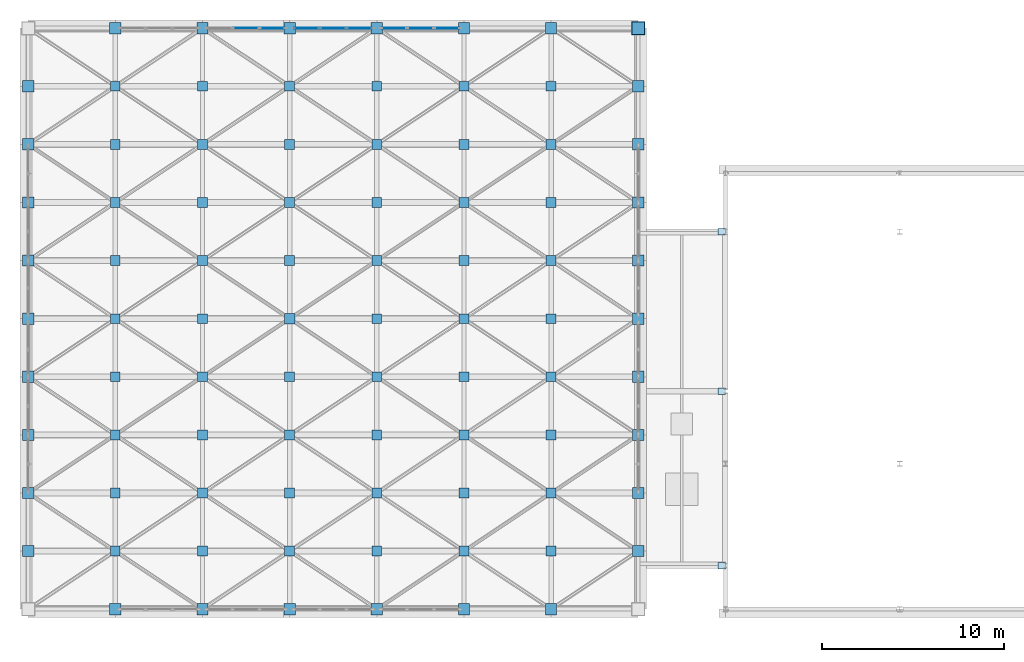
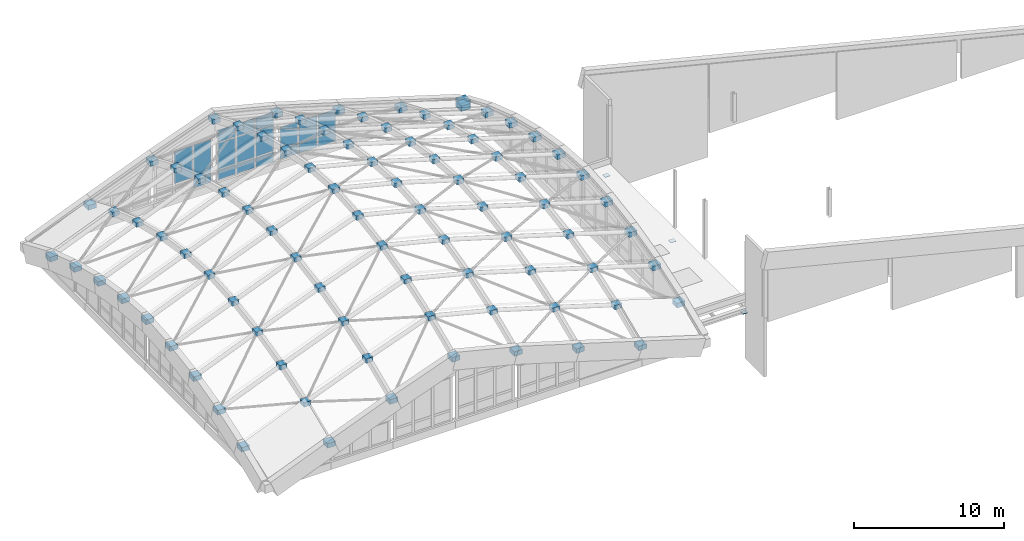
# One storey, part 12 of 14: 107 plates, 3 elements without a shape of their own.
"""IFC4 building model written with IfcOpenShell, lengths in metres."""

from ifc_helpers import new_model, si_unit, direction, frame, origin, origin_2d, place, context, subcontext, project, spatial, rectangle, extrude, material, layer, layer_set, type_object, element, aggregate, save


model = new_model("IFC4")

# Units and contexts
model_context = context("Model", 3, precision=1e-05, world=origin(), true_north=direction((0.0, 1.0)))
body_context = subcontext(model_context, "Body", "Model", "MODEL_VIEW")
ifc_project = project(units=[si_unit("LENGTHUNIT", "METRE"), si_unit("AREAUNIT", "SQUARE_METRE"), si_unit("VOLUMEUNIT", "CUBIC_METRE"), si_unit("PLANEANGLEUNIT", "RADIAN"), si_unit("MASSUNIT", "GRAM", prefix="KILO")], contexts=[model_context])

# Site, building, storey
site_placement = place(None, origin())
site = spatial("IfcSite", under=ifc_project, at=site_placement, CompositionType="ELEMENT")
building_placement = place(site_placement, origin())
building = spatial("IfcBuilding", under=site, at=building_placement, Name="Dunescarp Central Library", CompositionType="ELEMENT")
storey_placement = place(building_placement, frame((0.0, 0.0, 31.800048828125)))
storey = spatial("IfcBuildingStorey", under=building, at=storey_placement, Name="ROOF", CompositionType="ELEMENT", Elevation=31.800048828125)

# Curtain wall, plates
ifc_material_1 = material(Name="Marine-grade anodised aluminium 6063-T6", Category="aluminium")
curtain_wall_type = type_object("IfcCurtainWallType", Name="ARC-CW-CROWN", PredefinedType="NOTDEFINED", material=ifc_material_1)
curtain_wall_1_placement = place(storey_placement, origin())
curtain_wall_1 = element("IfcCurtainWall", 1, at=curtain_wall_1_placement, inside=storey, type_object=curtain_wall_type, Name="ROOF curtain wall CW-CROWN-N3", PredefinedType="NOTDEFINED")
ifc_material_2 = material(Name="Solar-control laminated double glazing", Category="glass")
ifc_layer_1 = layer(ifc_material_2, 0.031982421875)
ifc_layer_set_1 = layer_set([ifc_layer_1], Name="Solar-control laminated double glazing")
plate_type_1 = type_object("IfcPlateType", Name="ARC-PLT-GLZ32", PredefinedType="CURTAIN_PANEL", material=ifc_layer_set_1)
plate_1_placement = place(storey_placement, frame((12.0, 36.800048828125, 0.93994140625), z_axis=(0.0, 0.0, 1.0), x_axis=(1.0, 0.0, 0.0)))
plate_1 = element("IfcPlate", 2, at=plate_1_placement, type_object=plate_type_1, Name="CW-CROWN-N3 panel 2.2", PredefinedType="CURTAIN_PANEL", context=body_context, shape_type="SweptSolid", body=[
    extrude(rectangle(XDim=1.393310546875, YDim=0.031982421875, at=origin_2d()), origin(), (0.0, 0.0, 1.0), 2.6298828125),
])
plate_2_placement = place(storey_placement, frame((13.4609375, 36.800048828125, 0.93994140625), z_axis=(0.0, 0.0, 1.0), x_axis=(1.0, 0.0, 0.0)))
plate_2 = element("IfcPlate", 3, at=plate_2_placement, type_object=plate_type_1, Name="CW-CROWN-N3 panel 3.2", PredefinedType="CURTAIN_PANEL", context=body_context, shape_type="SweptSolid", body=[
    extrude(rectangle(XDim=1.348388671875, YDim=0.031982421875, at=origin_2d()), origin(), (0.0, 0.0, 1.0), 2.6298828125),
])

curtain_wall_2_placement = place(storey_placement, origin())
curtain_wall_2 = element("IfcCurtainWall", 4, at=curtain_wall_2_placement, inside=storey, type_object=curtain_wall_type, Name="ROOF curtain wall CW-CROWN-N4", PredefinedType="NOTDEFINED")
plate_3_placement = place(storey_placement, frame((15.339111328125, 36.800048828125, 0.93994140625), z_axis=(0.0, 0.0, 1.0), x_axis=(1.0, 0.0, 0.0)))
plate_3 = element("IfcPlate", 5, at=plate_3_placement, type_object=plate_type_1, Name="CW-CROWN-N4 panel 1.2", PredefinedType="CURTAIN_PANEL", context=body_context, shape_type="SweptSolid", body=[
    extrude(rectangle(XDim=1.348388671875, YDim=0.031982421875, at=origin_2d()), origin(), (0.0, 0.0, 1.0), 2.1201171875),
])
plate_4_placement = place(storey_placement, frame((15.339111328125, 36.800048828125, 3.139892578125), z_axis=(0.0, 0.0, 1.0), x_axis=(1.0, 0.0, 0.0)))
plate_4 = element("IfcPlate", 6, at=plate_4_placement, type_object=plate_type_1, Name="CW-CROWN-N4 panel 1.3", PredefinedType="CURTAIN_PANEL", context=body_context, shape_type="SweptSolid", body=[
    extrude(rectangle(XDim=1.348388671875, YDim=0.031982421875, at=origin_2d()), origin(), (0.0, 0.0, 1.0), 0.97998046875),
])
plate_5_placement = place(storey_placement, frame((16.800048828125, 36.800048828125, 0.93994140625), z_axis=(0.0, 0.0, 1.0), x_axis=(1.0, 0.0, 0.0)))
plate_5 = element("IfcPlate", 7, at=plate_5_placement, type_object=plate_type_1, Name="CW-CROWN-N4 panel 2.2", PredefinedType="CURTAIN_PANEL", context=body_context, shape_type="SweptSolid", body=[
    extrude(rectangle(XDim=1.393310546875, YDim=0.031982421875, at=origin_2d()), origin(), (0.0, 0.0, 1.0), 2.1201171875),
])
plate_6_placement = place(storey_placement, frame((16.800048828125, 36.800048828125, 3.139892578125), z_axis=(0.0, 0.0, 1.0), x_axis=(1.0, 0.0, 0.0)))
plate_6 = element("IfcPlate", 8, at=plate_6_placement, type_object=plate_type_1, Name="CW-CROWN-N4 panel 2.3", PredefinedType="CURTAIN_PANEL", context=body_context, shape_type="SweptSolid", body=[
    extrude(rectangle(XDim=1.393310546875, YDim=0.031982421875, at=origin_2d()), origin(), (0.0, 0.0, 1.0), 0.97998046875),
])
plate_7_placement = place(storey_placement, frame((18.2607421875, 36.800048828125, 0.93994140625), z_axis=(0.0, 0.0, 1.0), x_axis=(1.0, 0.0, 0.0)))
plate_7 = element("IfcPlate", 9, at=plate_7_placement, type_object=plate_type_1, Name="CW-CROWN-N4 panel 3.2", PredefinedType="CURTAIN_PANEL", context=body_context, shape_type="SweptSolid", body=[
    extrude(rectangle(XDim=1.348388671875, YDim=0.031982421875, at=origin_2d()), origin(), (0.0, 0.0, 1.0), 2.1201171875),
])
plate_8_placement = place(storey_placement, frame((18.2607421875, 36.800048828125, 3.139892578125), z_axis=(0.0, 0.0, 1.0), x_axis=(1.0, 0.0, 0.0)))
plate_8 = element("IfcPlate", 10, at=plate_8_placement, type_object=plate_type_1, Name="CW-CROWN-N4 panel 3.3", PredefinedType="CURTAIN_PANEL", context=body_context, shape_type="SweptSolid", body=[
    extrude(rectangle(XDim=1.348388671875, YDim=0.031982421875, at=origin_2d()), origin(), (0.0, 0.0, 1.0), 0.97998046875),
])

curtain_wall_3_placement = place(storey_placement, origin())
curtain_wall_3 = element("IfcCurtainWall", 11, at=curtain_wall_3_placement, inside=storey, type_object=curtain_wall_type, Name="ROOF curtain wall CW-CROWN-N5", PredefinedType="NOTDEFINED")
plate_9_placement = place(storey_placement, frame((20.13916015625, 36.800048828125, 0.93994140625), z_axis=(0.0, 0.0, 1.0), x_axis=(1.0, 0.0, 0.0)))
plate_9 = element("IfcPlate", 12, at=plate_9_placement, type_object=plate_type_1, Name="CW-CROWN-N5 panel 1.2", PredefinedType="CURTAIN_PANEL", context=body_context, shape_type="SweptSolid", body=[
    extrude(rectangle(XDim=1.348388671875, YDim=0.031982421875, at=origin_2d()), origin(), (0.0, 0.0, 1.0), 1.72998046875),
])
plate_10_placement = place(storey_placement, frame((21.60009765625, 36.800048828125, 0.93994140625), z_axis=(0.0, 0.0, 1.0), x_axis=(1.0, 0.0, 0.0)))
plate_10 = element("IfcPlate", 13, at=plate_10_placement, type_object=plate_type_1, Name="CW-CROWN-N5 panel 2.2", PredefinedType="CURTAIN_PANEL", context=body_context, shape_type="SweptSolid", body=[
    extrude(rectangle(XDim=1.393310546875, YDim=0.031982421875, at=origin_2d()), origin(), (0.0, 0.0, 1.0), 1.72998046875),
])
plate_11_placement = place(storey_placement, frame((23.060791015625, 36.800048828125, 0.93994140625), z_axis=(0.0, 0.0, 1.0), x_axis=(1.0, 0.0, 0.0)))
plate_11 = element("IfcPlate", 14, at=plate_11_placement, type_object=plate_type_1, Name="CW-CROWN-N5 panel 3.2", PredefinedType="CURTAIN_PANEL", context=body_context, shape_type="SweptSolid", body=[
    extrude(rectangle(XDim=1.348388671875, YDim=0.031982421875, at=origin_2d()), origin(), (0.0, 0.0, 1.0), 1.72998046875),
])

# Plate
ifc_layer_2 = layer(ifc_material_1, 0.050048828125)
ifc_layer_set_2 = layer_set([ifc_layer_2], Name="Marine-grade anodised aluminium 6063-T6")
plate_type_2 = type_object("IfcPlateType", Name="ARC-PLT-SPN50", PredefinedType="SHEET", material=ifc_layer_set_2)
plate_12_placement = place(storey_placement, frame((13.4609375, 36.800048828125, 0.080078125), z_axis=(0.0, 0.0, 1.0), x_axis=(1.0, 0.0, 0.0)))
plate_12 = element("IfcPlate", 15, at=plate_12_placement, type_object=plate_type_2, Name="CW-CROWN-N3 panel 3.1", PredefinedType="SHEET", context=body_context, shape_type="SweptSolid", body=[
    extrude(rectangle(XDim=1.348388671875, YDim=0.050048828125, at=origin_2d()), origin(), (0.0, 0.0, 1.0), 0.780029296875),
])

aggregate(curtain_wall_1, [plate_1, plate_12, plate_2])

plate_13_placement = place(storey_placement, frame((15.339111328125, 36.800048828125, 0.080078125), z_axis=(0.0, 0.0, 1.0), x_axis=(1.0, 0.0, 0.0)))
plate_13 = element("IfcPlate", 16, at=plate_13_placement, type_object=plate_type_2, Name="CW-CROWN-N4 panel 1.1", PredefinedType="SHEET", context=body_context, shape_type="SweptSolid", body=[
    extrude(rectangle(XDim=1.348388671875, YDim=0.050048828125, at=origin_2d()), origin(), (0.0, 0.0, 1.0), 0.780029296875),
])

plate_14_placement = place(storey_placement, frame((16.800048828125, 36.800048828125, 0.080078125), z_axis=(0.0, 0.0, 1.0), x_axis=(1.0, 0.0, 0.0)))
plate_14 = element("IfcPlate", 17, at=plate_14_placement, type_object=plate_type_2, Name="CW-CROWN-N4 panel 2.1", PredefinedType="SHEET", context=body_context, shape_type="SweptSolid", body=[
    extrude(rectangle(XDim=1.393310546875, YDim=0.050048828125, at=origin_2d()), origin(), (0.0, 0.0, 1.0), 0.780029296875),
])

plate_15_placement = place(storey_placement, frame((18.2607421875, 36.800048828125, 0.080078125), z_axis=(0.0, 0.0, 1.0), x_axis=(1.0, 0.0, 0.0)))
plate_15 = element("IfcPlate", 18, at=plate_15_placement, type_object=plate_type_2, Name="CW-CROWN-N4 panel 3.1", PredefinedType="SHEET", context=body_context, shape_type="SweptSolid", body=[
    extrude(rectangle(XDim=1.348388671875, YDim=0.050048828125, at=origin_2d()), origin(), (0.0, 0.0, 1.0), 0.780029296875),
])

aggregate(curtain_wall_2, [plate_13, plate_3, plate_4, plate_14, plate_5, plate_6, plate_15, plate_7, plate_8])

plate_16_placement = place(storey_placement, frame((20.13916015625, 36.800048828125, 0.080078125), z_axis=(0.0, 0.0, 1.0), x_axis=(1.0, 0.0, 0.0)))
plate_16 = element("IfcPlate", 19, at=plate_16_placement, type_object=plate_type_2, Name="CW-CROWN-N5 panel 1.1", PredefinedType="SHEET", context=body_context, shape_type="SweptSolid", body=[
    extrude(rectangle(XDim=1.348388671875, YDim=0.050048828125, at=origin_2d()), origin(), (0.0, 0.0, 1.0), 0.780029296875),
])

plate_17_placement = place(storey_placement, frame((21.60009765625, 36.800048828125, 0.080078125), z_axis=(0.0, 0.0, 1.0), x_axis=(1.0, 0.0, 0.0)))
plate_17 = element("IfcPlate", 20, at=plate_17_placement, type_object=plate_type_2, Name="CW-CROWN-N5 panel 2.1", PredefinedType="SHEET", context=body_context, shape_type="SweptSolid", body=[
    extrude(rectangle(XDim=1.393310546875, YDim=0.050048828125, at=origin_2d()), origin(), (0.0, 0.0, 1.0), 0.780029296875),
])

plate_18_placement = place(storey_placement, frame((23.060791015625, 36.800048828125, 0.080078125), z_axis=(0.0, 0.0, 1.0), x_axis=(1.0, 0.0, 0.0)))
plate_18 = element("IfcPlate", 21, at=plate_18_placement, type_object=plate_type_2, Name="CW-CROWN-N5 panel 3.1", PredefinedType="SHEET", context=body_context, shape_type="SweptSolid", body=[
    extrude(rectangle(XDim=1.348388671875, YDim=0.050048828125, at=origin_2d()), origin(), (0.0, 0.0, 1.0), 0.780029296875),
])

aggregate(curtain_wall_3, [plate_16, plate_9, plate_17, plate_10, plate_18, plate_11])

# Plates
ifc_material_3 = material(Name="Steel S355J0", Category="steel")
ifc_layer_3 = layer(ifc_material_3, 0.419921875)
ifc_layer_set_3 = layer_set([ifc_layer_3], Name="Steel S355J0")
plate_type_3 = type_object("IfcPlateType", Name="STR-NODE-GN01", PredefinedType="USERDEFINED", material=ifc_layer_set_3)
plate_19_placement = place(storey_placement, frame((33.60009765625, 36.800048828125, -0.64990234375), z_axis=(0.0, 0.0, 1.0), x_axis=(1.0, 0.0, 0.0)))
element("IfcPlate", 22, at=plate_19_placement, inside=storey, type_object=plate_type_3, Name="GN-01 gridshell node GN-710", ObjectType="BASE_PLATE", PredefinedType="USERDEFINED", context=body_context, shape_type="SweptSolid", body=[
    extrude(rectangle(XDim=0.679931640625, YDim=0.679931640625, at=origin_2d()), origin(), (0.0, 0.0, 1.0), 0.419921875),
])
ifc_layer_4 = layer(ifc_material_3, 0.3798828125)
ifc_layer_set_4 = layer_set([ifc_layer_4], Name="Steel S355J0")
plate_type_4 = type_object("IfcPlateType", Name="STR-NODE-GN02", PredefinedType="USERDEFINED", material=ifc_layer_set_4)
for number, where, z_axis, x_axis, name in (
    (23, (0.0, 8.0, 0.72998046875), (0.0, 0.0, 1.0), (1.0, 0.0, 0.0), "GN-02 gridshell node GN-001"),
    (24, (0.0, 11.199951171875, 1.81005859375), (0.0, 0.0, 1.0), (1.0, 0.0, 0.0), "GN-02 gridshell node GN-002"),
    (25, (0.0, 14.39990234375, 2.610107421875), (0.0, 0.0, 1.0), (1.0, 0.0, 0.0), "GN-02 gridshell node GN-003"),
    (26, (0.0, 17.60009765625, 3.130126953125), (0.0, 0.0, 1.0), (1.0, 0.0, 0.0), "GN-02 gridshell node GN-004"),
    (27, (0.0, 20.800048828125, 3.3701171875), (0.0, 0.0, 1.0), (1.0, 0.0, 0.0), "GN-02 gridshell node GN-005"),
    (28, (0.0, 24.0, 3.130126953125), (0.0, 0.0, 1.0), (1.0, 0.0, 0.0), "GN-02 gridshell node GN-006"),
    (29, (0.0, 27.199951171875, 2.610107421875), (0.0, 0.0, 1.0), (1.0, 0.0, 0.0), "GN-02 gridshell node GN-007"),
    (30, (0.0, 30.39990234375, 1.81005859375), (0.0, 0.0, 1.0), (1.0, 0.0, 0.0), "GN-02 gridshell node GN-008"),
    (31, (0.0, 33.60009765625, 0.72998046875), (0.0, 0.0, 1.0), (1.0, 0.0, 0.0), "GN-02 gridshell node GN-009"),
    (32, (4.800048828125, 4.800048828125, 1.320068359375), (0.0, 0.0, 1.0), (1.0, 0.0, 0.0), "GN-02 gridshell node GN-100"),
    (33, (4.800048828125, 36.800048828125, 1.320068359375), (0.0, 0.0, 1.0), (1.0, 0.0, 0.0), "GN-02 gridshell node GN-110"),
    (34, (9.60009765625, 4.800048828125, 3.219970703125), (0.0, 0.0, 1.0), (1.0, 0.0, 0.0), "GN-02 gridshell node GN-200"),
    (35, (9.60009765625, 36.800048828125, 3.219970703125), (0.0, 0.0, 1.0), (1.0, 0.0, 0.0), "GN-02 gridshell node GN-210"),
    (36, (14.39990234375, 4.800048828125, 4.969970703125), (0.0, 0.0, 1.0), (1.0, 0.0, 0.0), "GN-02 gridshell node GN-300"),
    (37, (14.39990234375, 36.800048828125, 4.969970703125), (0.0, 0.0, 1.0), (1.0, 0.0, 0.0), "GN-02 gridshell node GN-310"),
    (38, (19.199951171875, 4.800048828125, 3.77001953125), (0.0, 0.0, 1.0), (1.0, 0.0, 0.0), "GN-02 gridshell node GN-400"),
    (39, (19.199951171875, 36.800048828125, 3.77001953125), (0.0, 0.0, 1.0), (1.0, 0.0, 0.0), "GN-02 gridshell node GN-410"),
    (40, (24.0, 4.800048828125, 2.320068359375), (0.0, 0.0, 1.0), (1.0, 0.0, 0.0), "GN-02 gridshell node GN-500"),
    (41, (24.0, 36.800048828125, 2.320068359375), (0.0, 0.0, 1.0), (1.0, 0.0, 0.0), "GN-02 gridshell node GN-510"),
    (42, (28.800048828125, 4.800048828125, 0.85009765625), (0.0, 0.0, 1.0), (1.0, 0.0, 0.0), "GN-02 gridshell node GN-600"),
    (43, (28.800048828125, 36.800048828125, 0.85009765625), (0.0, 0.0, 1.0), (1.0, 0.0, 0.0), "GN-02 gridshell node GN-610"),
    (44, (33.60009765625, 8.0, 0.72998046875), (0.0, 0.0, 1.0), (1.0, 0.0, 0.0), "GN-02 gridshell node GN-701"),
    (45, (33.60009765625, 11.199951171875, 1.81005859375), (0.0, 0.0, 1.0), (1.0, 0.0, 0.0), "GN-02 gridshell node GN-702"),
    (46, (33.60009765625, 14.39990234375, 2.610107421875), (0.0, 0.0, 1.0), (1.0, 0.0, 0.0), "GN-02 gridshell node GN-703"),
    (47, (33.60009765625, 17.60009765625, 3.130126953125), (0.0, 0.0, 1.0), (1.0, 0.0, 0.0), "GN-02 gridshell node GN-704"),
    (48, (33.60009765625, 20.800048828125, 3.3701171875), (0.0, 0.0, 1.0), (1.0, 0.0, 0.0), "GN-02 gridshell node GN-705"),
    (49, (33.60009765625, 24.0, 3.130126953125), (0.0, 0.0, 1.0), (1.0, 0.0, 0.0), "GN-02 gridshell node GN-706"),
    (50, (33.60009765625, 27.199951171875, 2.610107421875), (0.0, 0.0, 1.0), (1.0, 0.0, 0.0), "GN-02 gridshell node GN-707"),
    (51, (33.60009765625, 30.39990234375, 1.81005859375), (0.0, 0.0, 1.0), (1.0, 0.0, 0.0), "GN-02 gridshell node GN-708"),
    (52, (33.60009765625, 33.60009765625, 0.72998046875), (0.0, 0.0, 1.0), (1.0, 0.0, 0.0), "GN-02 gridshell node GN-709"),
):
    element("IfcPlate", number, at=place(storey_placement, frame(where, z_axis=z_axis, x_axis=x_axis)), inside=storey, type_object=plate_type_4, Name=name, ObjectType="BASE_PLATE", PredefinedType="USERDEFINED", context=body_context, shape_type="SweptSolid", body=[
        extrude(rectangle(XDim=0.6201171875, YDim=0.6201171875, at=origin_2d()), origin(), (0.0, 0.0, 1.0), 0.3798828125),
    ])
ifc_layer_5 = layer(ifc_material_3, 0.360107421875)
ifc_layer_set_5 = layer_set([ifc_layer_5], Name="Steel S355J0")
plate_type_5 = type_object("IfcPlateType", Name="STR-NODE-GN03", PredefinedType="USERDEFINED", material=ifc_layer_set_5)
for number, where, z_axis, x_axis, name in (
    (53, (4.800048828125, 8.0, 2.68994140625), (0.0, 0.0, 1.0), (1.0, 0.0, 0.0), "GN-03 gridshell node GN-101"),
    (54, (4.800048828125, 11.199951171875, 3.77001953125), (0.0, 0.0, 1.0), (1.0, 0.0, 0.0), "GN-03 gridshell node GN-102"),
    (55, (4.800048828125, 14.39990234375, 4.56982421875), (0.0, 0.0, 1.0), (1.0, 0.0, 0.0), "GN-03 gridshell node GN-103"),
    (56, (4.800048828125, 17.60009765625, 5.08984375), (0.0, 0.0, 1.0), (1.0, 0.0, 0.0), "GN-03 gridshell node GN-104"),
    (57, (4.800048828125, 20.800048828125, 5.330078125), (0.0, 0.0, 1.0), (1.0, 0.0, 0.0), "GN-03 gridshell node GN-105"),
    (58, (4.800048828125, 24.0, 5.08984375), (0.0, 0.0, 1.0), (1.0, 0.0, 0.0), "GN-03 gridshell node GN-106"),
    (59, (4.800048828125, 27.199951171875, 4.56982421875), (0.0, 0.0, 1.0), (1.0, 0.0, 0.0), "GN-03 gridshell node GN-107"),
    (60, (4.800048828125, 30.39990234375, 3.77001953125), (0.0, 0.0, 1.0), (1.0, 0.0, 0.0), "GN-03 gridshell node GN-108"),
    (61, (4.800048828125, 33.60009765625, 2.68994140625), (0.0, 0.0, 1.0), (1.0, 0.0, 0.0), "GN-03 gridshell node GN-109"),
    (62, (9.60009765625, 8.0, 4.58984375), (0.0, 0.0, 1.0), (1.0, 0.0, 0.0), "GN-03 gridshell node GN-201"),
    (63, (9.60009765625, 11.199951171875, 5.669921875), (0.0, 0.0, 1.0), (1.0, 0.0, 0.0), "GN-03 gridshell node GN-202"),
    (64, (9.60009765625, 14.39990234375, 6.4697265625), (0.0, 0.0, 1.0), (1.0, 0.0, 0.0), "GN-03 gridshell node GN-203"),
    (65, (9.60009765625, 17.60009765625, 6.98974609375), (0.0, 0.0, 1.0), (1.0, 0.0, 0.0), "GN-03 gridshell node GN-204"),
    (66, (9.60009765625, 20.800048828125, 7.22998046875), (0.0, 0.0, 1.0), (1.0, 0.0, 0.0), "GN-03 gridshell node GN-205"),
    (67, (9.60009765625, 24.0, 6.98974609375), (0.0, 0.0, 1.0), (1.0, 0.0, 0.0), "GN-03 gridshell node GN-206"),
    (68, (9.60009765625, 27.199951171875, 6.4697265625), (0.0, 0.0, 1.0), (1.0, 0.0, 0.0), "GN-03 gridshell node GN-207"),
    (69, (9.60009765625, 30.39990234375, 5.669921875), (0.0, 0.0, 1.0), (1.0, 0.0, 0.0), "GN-03 gridshell node GN-208"),
    (70, (9.60009765625, 33.60009765625, 4.58984375), (0.0, 0.0, 1.0), (1.0, 0.0, 0.0), "GN-03 gridshell node GN-209"),
    (71, (14.39990234375, 8.0, 6.33984375), (0.0, 0.0, 1.0), (1.0, 0.0, 0.0), "GN-03 gridshell node GN-301"),
    (72, (14.39990234375, 11.199951171875, 7.419921875), (0.0, 0.0, 1.0), (1.0, 0.0, 0.0), "GN-03 gridshell node GN-302"),
    (73, (14.39990234375, 14.39990234375, 8.2197265625), (0.0, 0.0, 1.0), (1.0, 0.0, 0.0), "GN-03 gridshell node GN-303"),
    (74, (14.39990234375, 17.60009765625, 8.73974609375), (0.0, 0.0, 1.0), (1.0, 0.0, 0.0), "GN-03 gridshell node GN-304"),
    (75, (14.39990234375, 24.0, 8.73974609375), (0.0, 0.0, 1.0), (1.0, 0.0, 0.0), "GN-03 gridshell node GN-306"),
    (76, (14.39990234375, 27.199951171875, 8.2197265625), (0.0, 0.0, 1.0), (1.0, 0.0, 0.0), "GN-03 gridshell node GN-307"),
    (77, (14.39990234375, 30.39990234375, 7.419921875), (0.0, 0.0, 1.0), (1.0, 0.0, 0.0), "GN-03 gridshell node GN-308"),
    (78, (14.39990234375, 33.60009765625, 6.33984375), (0.0, 0.0, 1.0), (1.0, 0.0, 0.0), "GN-03 gridshell node GN-309"),
    (79, (19.199951171875, 8.0, 5.14013671875), (0.0, 0.0, 1.0), (1.0, 0.0, 0.0), "GN-03 gridshell node GN-401"),
    (80, (19.199951171875, 11.199951171875, 6.2197265625), (0.0, 0.0, 1.0), (1.0, 0.0, 0.0), "GN-03 gridshell node GN-402"),
    (81, (19.199951171875, 14.39990234375, 7.02001953125), (0.0, 0.0, 1.0), (1.0, 0.0, 0.0), "GN-03 gridshell node GN-403"),
    (82, (19.199951171875, 17.60009765625, 7.5400390625), (0.0, 0.0, 1.0), (1.0, 0.0, 0.0), "GN-03 gridshell node GN-404"),
    (83, (19.199951171875, 20.800048828125, 7.77978515625), (0.0, 0.0, 1.0), (1.0, 0.0, 0.0), "GN-03 gridshell node GN-405"),
    (84, (19.199951171875, 24.0, 7.5400390625), (0.0, 0.0, 1.0), (1.0, 0.0, 0.0), "GN-03 gridshell node GN-406"),
    (85, (19.199951171875, 27.199951171875, 7.02001953125), (0.0, 0.0, 1.0), (1.0, 0.0, 0.0), "GN-03 gridshell node GN-407"),
    (86, (19.199951171875, 30.39990234375, 6.2197265625), (0.0, 0.0, 1.0), (1.0, 0.0, 0.0), "GN-03 gridshell node GN-408"),
    (87, (19.199951171875, 33.60009765625, 5.14013671875), (0.0, 0.0, 1.0), (1.0, 0.0, 0.0), "GN-03 gridshell node GN-409"),
    (88, (24.0, 8.0, 3.68994140625), (0.0, 0.0, 1.0), (1.0, 0.0, 0.0), "GN-03 gridshell node GN-501"),
    (89, (24.0, 11.199951171875, 4.77001953125), (0.0, 0.0, 1.0), (1.0, 0.0, 0.0), "GN-03 gridshell node GN-502"),
    (90, (24.0, 14.39990234375, 5.56982421875), (0.0, 0.0, 1.0), (1.0, 0.0, 0.0), "GN-03 gridshell node GN-503"),
    (91, (24.0, 17.60009765625, 6.08984375), (0.0, 0.0, 1.0), (1.0, 0.0, 0.0), "GN-03 gridshell node GN-504"),
    (92, (24.0, 20.800048828125, 6.330078125), (0.0, 0.0, 1.0), (1.0, 0.0, 0.0), "GN-03 gridshell node GN-505"),
    (93, (24.0, 24.0, 6.08984375), (0.0, 0.0, 1.0), (1.0, 0.0, 0.0), "GN-03 gridshell node GN-506"),
    (94, (24.0, 27.199951171875, 5.56982421875), (0.0, 0.0, 1.0), (1.0, 0.0, 0.0), "GN-03 gridshell node GN-507"),
    (95, (24.0, 30.39990234375, 4.77001953125), (0.0, 0.0, 1.0), (1.0, 0.0, 0.0), "GN-03 gridshell node GN-508"),
    (96, (24.0, 33.60009765625, 3.68994140625), (0.0, 0.0, 1.0), (1.0, 0.0, 0.0), "GN-03 gridshell node GN-509"),
    (97, (28.800048828125, 8.0, 2.2197265625), (0.0, 0.0, 1.0), (1.0, 0.0, 0.0), "GN-03 gridshell node GN-601"),
    (98, (28.800048828125, 11.199951171875, 3.2998046875), (0.0, 0.0, 1.0), (1.0, 0.0, 0.0), "GN-03 gridshell node GN-602"),
    (99, (28.800048828125, 14.39990234375, 4.10009765625), (0.0, 0.0, 1.0), (1.0, 0.0, 0.0), "GN-03 gridshell node GN-603"),
    (100, (28.800048828125, 17.60009765625, 4.6201171875), (0.0, 0.0, 1.0), (1.0, 0.0, 0.0), "GN-03 gridshell node GN-604"),
    (101, (28.800048828125, 20.800048828125, 4.85986328125), (0.0, 0.0, 1.0), (1.0, 0.0, 0.0), "GN-03 gridshell node GN-605"),
    (102, (28.800048828125, 24.0, 4.6201171875), (0.0, 0.0, 1.0), (1.0, 0.0, 0.0), "GN-03 gridshell node GN-606"),
    (103, (28.800048828125, 27.199951171875, 4.10009765625), (0.0, 0.0, 1.0), (1.0, 0.0, 0.0), "GN-03 gridshell node GN-607"),
    (104, (28.800048828125, 30.39990234375, 3.2998046875), (0.0, 0.0, 1.0), (1.0, 0.0, 0.0), "GN-03 gridshell node GN-608"),
    (105, (28.800048828125, 33.60009765625, 2.2197265625), (0.0, 0.0, 1.0), (1.0, 0.0, 0.0), "GN-03 gridshell node GN-609"),
):
    element("IfcPlate", number, at=place(storey_placement, frame(where, z_axis=z_axis, x_axis=x_axis)), inside=storey, type_object=plate_type_5, Name=name, ObjectType="BASE_PLATE", PredefinedType="USERDEFINED", context=body_context, shape_type="SweptSolid", body=[
        extrude(rectangle(XDim=0.5400390625, YDim=0.5400390625, at=origin_2d()), origin(), (0.0, 0.0, 1.0), 0.360107421875),
    ])
ifc_layer_6 = layer(ifc_material_3, 0.39990234375)
ifc_layer_set_6 = layer_set([ifc_layer_6], Name="Steel S355J0")
plate_type_6 = type_object("IfcPlateType", Name="STR-NODE-GN04", PredefinedType="USERDEFINED", material=ifc_layer_set_6)
plate_20_placement = place(storey_placement, frame((14.39990234375, 20.800048828125, 8.9599609375), z_axis=(0.0, 0.0, 1.0), x_axis=(1.0, 0.0, 0.0)))
element("IfcPlate", 106, at=plate_20_placement, inside=storey, type_object=plate_type_6, Name="GN-04 gridshell node GN-305", ObjectType="BASE_PLATE", PredefinedType="USERDEFINED", context=body_context, shape_type="SweptSolid", body=[
    extrude(rectangle(XDim=0.580078125, YDim=0.580078125, at=origin_2d()), origin(), (0.0, 0.0, 1.0), 0.39990234375),
])
ifc_layer_7 = layer(ifc_material_3, 0.035888671875)
ifc_layer_set_7 = layer_set([ifc_layer_7], Name="Steel S355J0")
plate_type_7 = type_object("IfcPlateType", Name="STR-PLT-ECP3", PredefinedType="USERDEFINED", material=ifc_layer_set_7)
plate_21_placement = place(storey_placement, frame((33.60009765625, 36.800048828125, -0.64013671875), z_axis=(0.0, 0.0, 1.0), x_axis=(1.0, 0.0, 0.0)))
element("IfcPlate", 107, at=plate_21_placement, inside=storey, type_object=plate_type_7, Name="Ring beam corner closure ECP-GRB-03", ObjectType="GUSSET_PLATE", PredefinedType="USERDEFINED", context=body_context, shape_type="SweptSolid", body=[
    extrude(rectangle(XDim=0.760009765625, YDim=0.760009765625, at=origin_2d()), origin(), (0.0, 0.0, 1.0), 0.679931640625),
])
ifc_layer_8 = layer(ifc_material_3, 0.0400390625)
ifc_layer_set_8 = layer_set([ifc_layer_8], Name="Steel S355J0")
plate_type_8 = type_object("IfcPlateType", Name="STR-PLT-SEAT420", PredefinedType="USERDEFINED", material=ifc_layer_set_8)
for number, where, z_axis, x_axis, name in (
    (108, (38.18994140625, 7.199951171875, -1.030029296875), (0.0, 0.0, 1.0), (1.0, 0.0, 0.0), "ROOF GL1 420 mm sliding link bearing seat BRG-01"),
    (109, (38.18994140625, 16.800048828125, -1.030029296875), (0.0, 0.0, 1.0), (1.0, 0.0, 0.0), "ROOF GL1 420 mm sliding link bearing seat BRG-01"),
    (110, (38.18994140625, 25.60009765625, -1.030029296875), (0.0, 0.0, 1.0), (1.0, 0.0, 0.0), "ROOF GL1 420 mm sliding link bearing seat BRG-01"),
):
    element("IfcPlate", number, at=place(storey_placement, frame(where, z_axis=z_axis, x_axis=x_axis)), inside=storey, type_object=plate_type_8, Name=name, ObjectType="BASE_PLATE", PredefinedType="USERDEFINED", context=body_context, shape_type="SweptSolid", body=[
        extrude(rectangle(XDim=0.419921875, YDim=0.360107421875, at=origin_2d()), origin(), (0.0, 0.0, 1.0), 0.0400390625),
    ])

save(model, "model.ifc")
